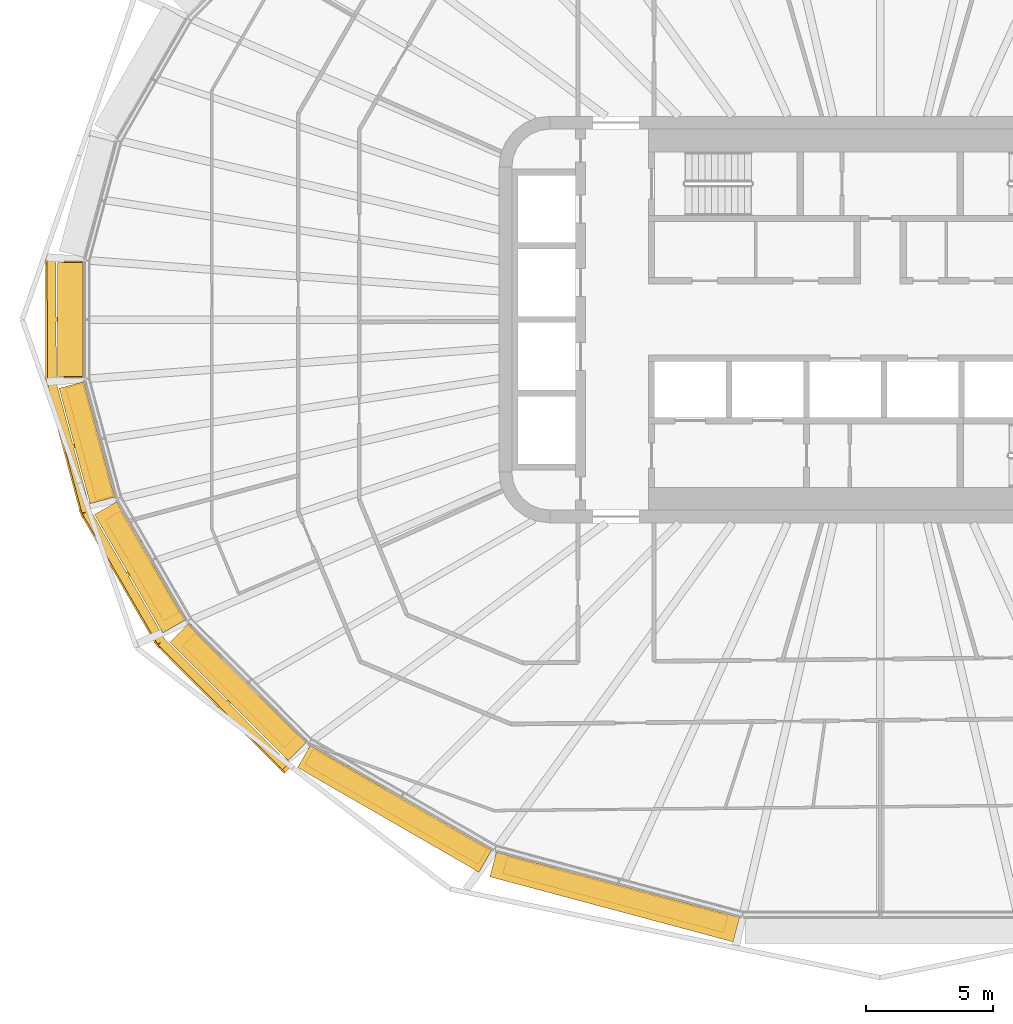
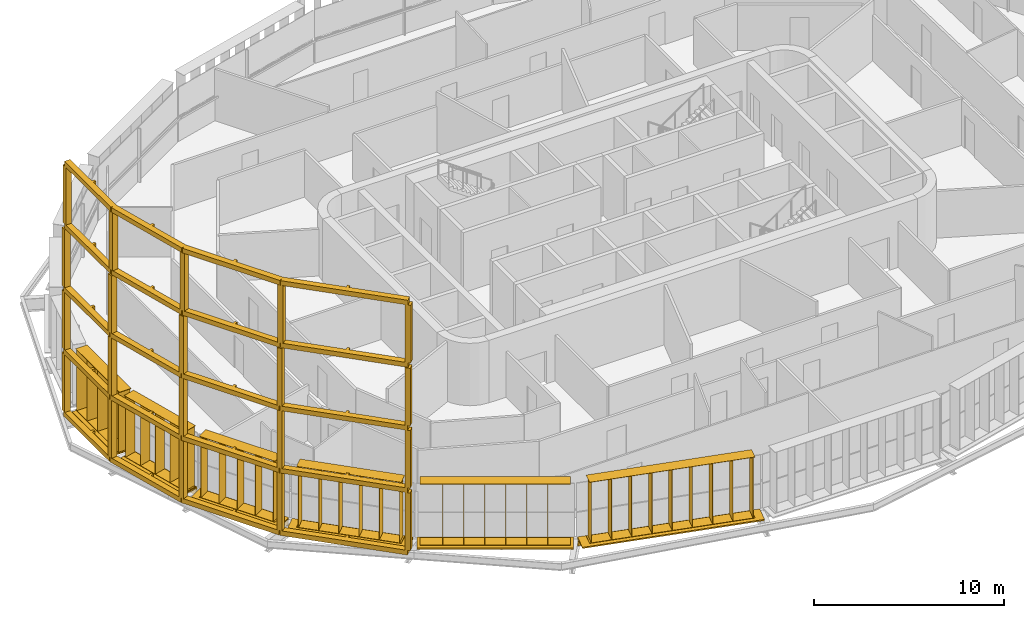
# One storey, part 18 of 24: 13 shading devices.
"""IFC4 building model written with IfcOpenShell, lengths in metres."""

from ifc_helpers import new_model, si_unit, direction, frame, origin, origin_2d, place, context, subcontext, project, spatial, polyline, rectangle, outline, extrude, material, type_object, element, save


model = new_model("IFC4")

# Units and contexts
model_context = context("Model", 3, precision=1e-05, world=origin(), true_north=direction((0.0, 1.0)))
body_context = subcontext(model_context, "Body", "Model", "MODEL_VIEW")
ifc_project = project(units=[si_unit("LENGTHUNIT", "METRE"), si_unit("AREAUNIT", "SQUARE_METRE"), si_unit("VOLUMEUNIT", "CUBIC_METRE"), si_unit("PLANEANGLEUNIT", "RADIAN"), si_unit("MASSUNIT", "GRAM", prefix="KILO")], contexts=[model_context])

# Site, building, storey
site_placement = place(None, origin())
site = spatial("IfcSite", under=ifc_project, at=site_placement, CompositionType="ELEMENT")
building_placement = place(site_placement, origin())
building = spatial("IfcBuilding", under=site, at=building_placement, Name="Sahrelin Media Tower", CompositionType="ELEMENT")
storey_placement = place(building_placement, frame((0.0, 0.0, 153.60009765625)))
storey = spatial("IfcBuildingStorey", under=building, at=storey_placement, Name="L31", CompositionType="ELEMENT", Elevation=153.60009765625)

# Shading devices
ifc_material_1 = material(Name="Dark bronze anodised aluminium 6063-T6", Category="aluminium")
shading_device_type_1 = type_object("IfcShadingDeviceType", Name="Deep frame", PredefinedType="USERDEFINED", material=ifc_material_1)
shading_device_1_placement = place(storey_placement, frame((-31.3515625, 2.343017578125, 0.0), z_axis=(0.0, 0.0, 1.0), x_axis=(0.0, 1.0, 0.0)))
element("IfcShadingDevice", 1, at=shading_device_1_placement, inside=storey, type_object=shading_device_type_1, Name="L31:FRAME:F3-1", ObjectType="FRAME", PredefinedType="USERDEFINED", context=body_context, shape_type="SweptSolid", body=[
    extrude(rectangle(XDim=0.300048828125, YDim=0.35009765625, at=origin_2d()), frame((0.0, 1.324951171875, 0.14990234375), z_axis=(0.0, 0.0, 1.0), x_axis=(-1.0, 0.0, 0.0)), (0.0, 0.0, 1.0), 3.7001953125),
    extrude(rectangle(XDim=0.300048828125, YDim=0.35009765625, at=origin_2d()), frame((-4.85888671875, 1.313720703125, 0.14990234375), z_axis=(0.0, 0.0, 1.0), x_axis=(-0.991436202368, -0.130591947046, 0.0)), (0.0, 0.0, 1.0), 3.7001953125),
    extrude(rectangle(XDim=0.300048828125, YDim=0.35009765625, at=origin_2d()), frame((-9.926513671875, -0.044189453125, 0.14990234375), z_axis=(0.0, 0.0, 1.0), x_axis=(-0.923912256654, -0.382604419741, 0.0)), (0.0, 0.0, 1.0), 3.7001953125),
    extrude(rectangle(XDim=0.300048828125, YDim=0.35009765625, at=origin_2d()), frame((-15.054931640625, -3.0048828125, 0.14990234375), z_axis=(0.0, 0.0, 1.0), x_axis=(-0.793352277801, -0.608762813671, 0.0)), (0.0, 0.0, 1.0), 3.7001953125),
    extrude(rectangle(XDim=0.300048828125, YDim=0.35009765625, at=origin_2d()), frame((-19.974853515625, -7.90869140625, 0.14990234375), z_axis=(0.0, 0.0, 1.0), x_axis=(-0.707106781187, -0.707106781187, 0.0)), (0.0, 0.0, 1.0), 3.7001953125),
    extrude(outline(polyline([(-20.098388671875, -7.784912109375), (-19.851318359375, -8.03271484375), (-17.505615234375, -5.694580078125), (-17.382080078125, -5.818115234375), (-17.27587890625, -5.7119140625), (-17.3994140625, -5.588623046875), (-14.94775390625, -3.14501953125), (-12.46826171875, -1.713623046875), (-12.384033203125, -1.859619140625), (-12.25390625, -1.78466796875), (-12.33837890625, -1.638671875), (-9.859130859375, -0.207275390625), (-7.419921875, 0.4462890625), (-7.376220703125, 0.283447265625), (-7.2314453125, 0.322265625), (-7.27490234375, 0.485107421875), (-4.835693359375, 1.138671875), (-2.41796875, 1.144287109375), (-2.41796875, 0.969970703125), (-2.26806640625, 0.969970703125), (-2.26806640625, 1.144775390625), (0.00048828125, 1.14990234375), (-0.00048828125, 1.5), (-4.859375, 1.48876953125), (-4.85888671875, 1.313720703125), (-4.904296875, 1.482666015625), (-9.971923828125, 0.125), (-9.926513671875, -0.044189453125), (-10.01416015625, 0.107421875), (-15.142578125, -2.853515625), (-15.054931640625, -3.0048828125), (-15.178466796875, -2.881103515625), (-20.098388671875, -7.784912109375)])), frame((0.0, 0.0, -0.14990234375)), (0.0, 0.0, 1.0), 0.2998046875),
    extrude(rectangle(XDim=0.300048828125, YDim=0.35009765625, at=origin_2d()), frame((0.0, 1.324951171875, 4.14990234375), z_axis=(0.0, 0.0, 1.0), x_axis=(-1.0, 0.0, 0.0)), (0.0, 0.0, 1.0), 3.7001953125),
    extrude(rectangle(XDim=0.300048828125, YDim=0.35009765625, at=origin_2d()), frame((-4.85888671875, 1.313720703125, 4.14990234375), z_axis=(0.0, 0.0, 1.0), x_axis=(-0.991436202368, -0.130591947046, 0.0)), (0.0, 0.0, 1.0), 3.7001953125),
    extrude(rectangle(XDim=0.300048828125, YDim=0.35009765625, at=origin_2d()), frame((-9.926513671875, -0.044189453125, 4.14990234375), z_axis=(0.0, 0.0, 1.0), x_axis=(-0.923912256654, -0.382604419741, 0.0)), (0.0, 0.0, 1.0), 3.7001953125),
    extrude(rectangle(XDim=0.300048828125, YDim=0.35009765625, at=origin_2d()), frame((-15.054931640625, -3.0048828125, 4.14990234375), z_axis=(0.0, 0.0, 1.0), x_axis=(-0.793352277801, -0.608762813671, 0.0)), (0.0, 0.0, 1.0), 3.7001953125),
    extrude(rectangle(XDim=0.300048828125, YDim=0.35009765625, at=origin_2d()), frame((-19.974853515625, -7.90869140625, 4.14990234375), z_axis=(0.0, 0.0, 1.0), x_axis=(-0.707106781187, -0.707106781187, 0.0)), (0.0, 0.0, 1.0), 3.7001953125),
    extrude(outline(polyline([(-20.098388671875, -7.784912109375), (-19.851318359375, -8.03271484375), (-17.505615234375, -5.694580078125), (-17.382080078125, -5.818115234375), (-17.27587890625, -5.7119140625), (-17.3994140625, -5.588623046875), (-14.94775390625, -3.14501953125), (-12.46826171875, -1.713623046875), (-12.384033203125, -1.859619140625), (-12.25390625, -1.78466796875), (-12.33837890625, -1.638671875), (-9.859130859375, -0.207275390625), (-7.419921875, 0.4462890625), (-7.376220703125, 0.283447265625), (-7.2314453125, 0.322265625), (-7.27490234375, 0.485107421875), (-4.835693359375, 1.138671875), (-2.41796875, 1.144287109375), (-2.41796875, 0.969970703125), (-2.26806640625, 0.969970703125), (-2.26806640625, 1.144775390625), (0.00048828125, 1.14990234375), (-0.00048828125, 1.5), (-4.859375, 1.48876953125), (-4.85888671875, 1.313720703125), (-4.904296875, 1.482666015625), (-9.971923828125, 0.125), (-9.926513671875, -0.044189453125), (-10.01416015625, 0.107421875), (-15.142578125, -2.853515625), (-15.054931640625, -3.0048828125), (-15.178466796875, -2.881103515625), (-20.098388671875, -7.784912109375)])), frame((0.0, 0.0, 3.85009765625)), (0.0, 0.0, 1.0), 0.2998046875),
    extrude(rectangle(XDim=0.300048828125, YDim=0.35009765625, at=origin_2d()), frame((0.0, 1.324951171875, 8.14990234375), z_axis=(0.0, 0.0, 1.0), x_axis=(-1.0, 0.0, 0.0)), (0.0, 0.0, 1.0), 3.7001953125),
    extrude(rectangle(XDim=0.300048828125, YDim=0.35009765625, at=origin_2d()), frame((-4.85888671875, 1.313720703125, 8.14990234375), z_axis=(0.0, 0.0, 1.0), x_axis=(-0.991436202368, -0.130591947046, 0.0)), (0.0, 0.0, 1.0), 3.7001953125),
    extrude(rectangle(XDim=0.300048828125, YDim=0.35009765625, at=origin_2d()), frame((-9.926513671875, -0.044189453125, 8.14990234375), z_axis=(0.0, 0.0, 1.0), x_axis=(-0.923912256654, -0.382604419741, 0.0)), (0.0, 0.0, 1.0), 3.7001953125),
    extrude(rectangle(XDim=0.300048828125, YDim=0.35009765625, at=origin_2d()), frame((-15.054931640625, -3.0048828125, 8.14990234375), z_axis=(0.0, 0.0, 1.0), x_axis=(-0.793352277801, -0.608762813671, 0.0)), (0.0, 0.0, 1.0), 3.7001953125),
    extrude(rectangle(XDim=0.300048828125, YDim=0.35009765625, at=origin_2d()), frame((-19.974853515625, -7.90869140625, 8.14990234375), z_axis=(0.0, 0.0, 1.0), x_axis=(-0.707106781187, -0.707106781187, 0.0)), (0.0, 0.0, 1.0), 3.7001953125),
    extrude(outline(polyline([(-20.098388671875, -7.784912109375), (-19.851318359375, -8.03271484375), (-17.505615234375, -5.694580078125), (-17.382080078125, -5.818115234375), (-17.27587890625, -5.7119140625), (-17.3994140625, -5.588623046875), (-14.94775390625, -3.14501953125), (-12.46826171875, -1.713623046875), (-12.384033203125, -1.859619140625), (-12.25390625, -1.78466796875), (-12.33837890625, -1.638671875), (-9.859130859375, -0.207275390625), (-7.419921875, 0.4462890625), (-7.376220703125, 0.283447265625), (-7.2314453125, 0.322265625), (-7.27490234375, 0.485107421875), (-4.835693359375, 1.138671875), (-2.41796875, 1.144287109375), (-2.41796875, 0.969970703125), (-2.26806640625, 0.969970703125), (-2.26806640625, 1.144775390625), (0.00048828125, 1.14990234375), (-0.00048828125, 1.5), (-4.859375, 1.48876953125), (-4.85888671875, 1.313720703125), (-4.904296875, 1.482666015625), (-9.971923828125, 0.125), (-9.926513671875, -0.044189453125), (-10.01416015625, 0.107421875), (-15.142578125, -2.853515625), (-15.054931640625, -3.0048828125), (-15.178466796875, -2.881103515625), (-20.098388671875, -7.784912109375)])), frame((0.0, 0.0, 7.85009765625)), (0.0, 0.0, 1.0), 0.2998046875),
    extrude(rectangle(XDim=0.300048828125, YDim=0.35009765625, at=origin_2d()), frame((-0.00537109375, 1.2578125, 12.14990234375), z_axis=(0.0, 0.0, 1.0), x_axis=(-1.0, 0.0, 0.0)), (0.0, 0.0, 1.0), 3.7001953125),
    extrude(rectangle(XDim=0.300048828125, YDim=0.35009765625, at=origin_2d()), frame((-4.853515625, 1.246337890625, 12.14990234375), z_axis=(0.0, 0.0, 1.0), x_axis=(-0.991436202368, -0.130591947046, 0.0)), (0.0, 0.0, 1.0), 3.7001953125),
    extrude(rectangle(XDim=0.300048828125, YDim=0.35009765625, at=origin_2d()), frame((-9.910888671875, -0.108642578125, 12.14990234375), z_axis=(0.0, 0.0, 1.0), x_axis=(-0.923897565017, -0.382639895143, 0.0)), (0.0, 0.0, 1.0), 3.7001953125),
    extrude(rectangle(XDim=0.300048828125, YDim=0.35009765625, at=origin_2d()), frame((-15.0283203125, -3.063232421875, 12.14990234375), z_axis=(0.0, 0.0, 1.0), x_axis=(-0.793352277801, -0.608762813671, 0.0)), (0.0, 0.0, 1.0), 3.7001953125),
    extrude(rectangle(XDim=0.300048828125, YDim=0.35009765625, at=origin_2d()), frame((-19.9375, -7.95654296875, 12.14990234375), z_axis=(0.0, 0.0, 1.0), x_axis=(-0.707106781187, -0.707106781187, 0.0)), (0.0, 0.0, 1.0), 3.7001953125),
    extrude(outline(polyline([(-20.06103515625, -7.83251953125), (-19.814208984375, -8.080322265625), (-17.4736328125, -5.74755859375), (-17.35009765625, -5.87109375), (-17.244140625, -5.764892578125), (-17.3671875, -5.6416015625), (-14.9208984375, -3.203369140625), (-12.447021484375, -1.77490234375), (-12.36279296875, -1.921142578125), (-12.23291015625, -1.84619140625), (-12.317138671875, -1.699951171875), (-9.84326171875, -0.271728515625), (-7.4091796875, 0.38037109375), (-7.36572265625, 0.217529296875), (-7.220703125, 0.25634765625), (-7.264404296875, 0.419189453125), (-4.830322265625, 1.0712890625), (-2.41796875, 1.0771484375), (-2.41796875, 0.902587890625), (-2.26806640625, 0.902587890625), (-2.26806640625, 1.077392578125), (-0.0048828125, 1.082763671875), (-0.005615234375, 1.4326171875), (-4.85400390625, 1.42138671875), (-4.853515625, 1.246337890625), (-4.89892578125, 1.415283203125), (-9.9560546875, 0.060302734375), (-9.910888671875, -0.108642578125), (-9.998291015625, 0.04296875), (-15.11572265625, -2.911865234375), (-15.0283203125, -3.063232421875), (-15.15185546875, -2.939453125), (-20.06103515625, -7.83251953125)])), frame((0.0, 0.0, 11.85009765625)), (0.0, 0.0, 1.0), 0.2998046875),
    extrude(outline(polyline([(-20.06103515625, -7.83251953125), (-19.814208984375, -8.080322265625), (-17.4736328125, -5.74755859375), (-17.35009765625, -5.87109375), (-17.244140625, -5.764892578125), (-17.3671875, -5.6416015625), (-14.9208984375, -3.203369140625), (-12.447021484375, -1.77490234375), (-12.36279296875, -1.921142578125), (-12.23291015625, -1.84619140625), (-12.317138671875, -1.699951171875), (-9.84326171875, -0.271728515625), (-7.4091796875, 0.38037109375), (-7.36572265625, 0.217529296875), (-7.220703125, 0.25634765625), (-7.264404296875, 0.419189453125), (-4.830322265625, 1.0712890625), (-2.41796875, 1.0771484375), (-2.41796875, 0.902587890625), (-2.26806640625, 0.902587890625), (-2.26806640625, 1.077392578125), (-0.0048828125, 1.082763671875), (-0.005615234375, 1.4326171875), (-4.85400390625, 1.42138671875), (-4.853515625, 1.246337890625), (-4.89892578125, 1.415283203125), (-9.9560546875, 0.060302734375), (-9.910888671875, -0.108642578125), (-9.998291015625, 0.04296875), (-15.11572265625, -2.911865234375), (-15.0283203125, -3.063232421875), (-15.15185546875, -2.939453125), (-20.06103515625, -7.83251953125)])), frame((0.0, 0.0, 15.85009765625)), (0.0, 0.0, 1.0), 0.2998046875),
])
ifc_material_2 = material(Name="Champagne anodised aluminium 6063-T6", Category="aluminium")
shading_device_type_2 = type_object("IfcShadingDeviceType", Name="Fin cassette", PredefinedType="USERDEFINED", material=ifc_material_2)
placement_1 = place(storey_placement, frame((-31.3515625, 0.0, 0.0), z_axis=(0.0, 0.0, 1.0), x_axis=(0.0, 1.0, 0.0)))
element("IfcShadingDevice", 2, at=placement_1, inside=storey, type_object=shading_device_type_2, Name="L31:FIN:L31-12", ObjectType="FIN", PredefinedType="USERDEFINED", context=body_context, shape_type="SweptSolid", body=[
    extrude(rectangle(XDim=4.60009765625, YDim=0.699951171875, at=origin_2d()), frame((0.0, 0.419921875, 0.0)), (0.0, 0.0, 1.0), 0.02001953125),
    extrude(rectangle(XDim=4.60009765625, YDim=0.699951171875, at=origin_2d()), frame((0.0, 0.419921875, 3.89990234375)), (0.0, 0.0, 1.0), 0.02001953125),
    extrude(rectangle(XDim=0.02001953125, YDim=0.699951171875, at=origin_2d()), frame((-2.199951171875, 0.419921875, 0.010009765625), z_axis=(0.0, 0.0, 1.0), x_axis=(1.0, 0.0, 0.0)), (0.0, 0.0, 1.0), 3.89990234375),
    extrude(rectangle(XDim=0.02001953125, YDim=0.699951171875, at=origin_2d()), frame((-1.10009765625, 0.419921875, 0.010009765625), z_axis=(0.0, 0.0, 1.0), x_axis=(1.0, 0.0, 0.0)), (0.0, 0.0, 1.0), 3.89990234375),
    extrude(rectangle(XDim=0.02001953125, YDim=0.699951171875, at=origin_2d()), frame((0.0, 0.419921875, 0.010009765625), z_axis=(0.0, 0.0, 1.0), x_axis=(1.0, 0.0, 0.0)), (0.0, 0.0, 1.0), 3.89990234375),
    extrude(rectangle(XDim=0.02001953125, YDim=0.699951171875, at=origin_2d()), frame((1.10009765625, 0.419921875, 0.010009765625), z_axis=(0.0, 0.0, 1.0), x_axis=(1.0, 0.0, 0.0)), (0.0, 0.0, 1.0), 3.89990234375),
    extrude(rectangle(XDim=0.02001953125, YDim=0.699951171875, at=origin_2d()), frame((2.199951171875, 0.419921875, 0.010009765625), z_axis=(0.0, 0.0, 1.0), x_axis=(1.0, 0.0, 0.0)), (0.0, 0.0, 1.0), 3.89990234375),
])
placement_2 = place(storey_placement, frame((-30.71728515625, -4.709716796875, 0.0), z_axis=(0.0, 0.0, 1.0), x_axis=(-0.258807731996, 0.965928857556, 0.0)))
element("IfcShadingDevice", 3, at=placement_2, inside=storey, type_object=shading_device_type_2, Name="L31:FIN:L31-13", ObjectType="FIN", PredefinedType="USERDEFINED", context=body_context, shape_type="SweptSolid", body=[
    extrude(rectangle(XDim=4.60009765625, YDim=0.699951171875, at=origin_2d()), frame((0.0, 0.419921875, 0.0)), (0.0, 0.0, 1.0), 0.02001953125),
    extrude(rectangle(XDim=4.60009765625, YDim=0.699951171875, at=origin_2d()), frame((0.0, 0.419921875, 3.89990234375)), (0.0, 0.0, 1.0), 0.02001953125),
    extrude(rectangle(XDim=0.02001953125, YDim=0.699951171875, at=origin_2d()), frame((-2.199951171875, 0.419921875, 0.010009765625), z_axis=(0.0, 0.0, 1.0), x_axis=(1.0, 0.0, 0.0)), (0.0, 0.0, 1.0), 3.89990234375),
    extrude(rectangle(XDim=0.02001953125, YDim=0.699951171875, at=origin_2d()), frame((-1.10009765625, 0.419921875, 0.010009765625), z_axis=(0.0, 0.0, 1.0), x_axis=(1.0, 0.0, 0.0)), (0.0, 0.0, 1.0), 3.89990234375),
    extrude(rectangle(XDim=0.02001953125, YDim=0.699951171875, at=origin_2d()), frame((0.0, 0.419921875, 0.010009765625), z_axis=(0.0, 0.0, 1.0), x_axis=(1.0, 0.0, 0.0)), (0.0, 0.0, 1.0), 3.89990234375),
    extrude(rectangle(XDim=0.02001953125, YDim=0.699951171875, at=origin_2d()), frame((1.10009765625, 0.419921875, 0.010009765625), z_axis=(0.0, 0.0, 1.0), x_axis=(1.0, 0.0, 0.0)), (0.0, 0.0, 1.0), 3.89990234375),
    extrude(rectangle(XDim=0.02001953125, YDim=0.699951171875, at=origin_2d()), frame((2.199951171875, 0.419921875, 0.010009765625), z_axis=(0.0, 0.0, 1.0), x_axis=(1.0, 0.0, 0.0)), (0.0, 0.0, 1.0), 3.89990234375),
])
placement_3 = place(storey_placement, frame((-28.689208984375, -9.490966796875, 0.0), z_axis=(0.0, 0.0, 1.0), x_axis=(-0.500011000363, 0.866019052629, 0.0)))
element("IfcShadingDevice", 4, at=placement_3, inside=storey, type_object=shading_device_type_2, Name="L31:FIN:L31-14", ObjectType="FIN", PredefinedType="USERDEFINED", context=body_context, shape_type="SweptSolid", body=[
    extrude(rectangle(XDim=4.60009765625, YDim=0.699951171875, at=origin_2d()), frame((0.0, 0.419921875, 0.0)), (0.0, 0.0, 1.0), 0.02001953125),
    extrude(rectangle(XDim=4.60009765625, YDim=0.699951171875, at=origin_2d()), frame((0.0, 0.419921875, 3.89990234375)), (0.0, 0.0, 1.0), 0.02001953125),
    extrude(rectangle(XDim=0.02001953125, YDim=0.699951171875, at=origin_2d()), frame((-2.199951171875, 0.419921875, 0.010009765625), z_axis=(0.0, 0.0, 1.0), x_axis=(1.0, 0.0, 0.0)), (0.0, 0.0, 1.0), 3.89990234375),
    extrude(rectangle(XDim=0.02001953125, YDim=0.699951171875, at=origin_2d()), frame((-1.10009765625, 0.419921875, 0.010009765625), z_axis=(0.0, 0.0, 1.0), x_axis=(1.0, 0.0, 0.0)), (0.0, 0.0, 1.0), 3.89990234375),
    extrude(rectangle(XDim=0.02001953125, YDim=0.699951171875, at=origin_2d()), frame((0.0, 0.419921875, 0.010009765625), z_axis=(0.0, 0.0, 1.0), x_axis=(1.0, 0.0, 0.0)), (0.0, 0.0, 1.0), 3.89990234375),
    extrude(rectangle(XDim=0.02001953125, YDim=0.699951171875, at=origin_2d()), frame((1.10009765625, 0.419921875, 0.010009765625), z_axis=(0.0, 0.0, 1.0), x_axis=(1.0, 0.0, 0.0)), (0.0, 0.0, 1.0), 3.89990234375),
    extrude(rectangle(XDim=0.02001953125, YDim=0.699951171875, at=origin_2d()), frame((2.199951171875, 0.419921875, 0.010009765625), z_axis=(0.0, 0.0, 1.0), x_axis=(1.0, 0.0, 0.0)), (0.0, 0.0, 1.0), 3.89990234375),
])
placement_4 = place(storey_placement, frame((-24.900634765625, -14.30029296875, 0.0), z_axis=(0.0, 0.0, 1.0), x_axis=(-0.707106781187, 0.707106781187, 0.0)))
element("IfcShadingDevice", 5, at=placement_4, inside=storey, type_object=shading_device_type_2, Name="L31:FIN:L31-15", ObjectType="FIN", PredefinedType="USERDEFINED", context=body_context, shape_type="SweptSolid", body=[
    extrude(rectangle(XDim=5.699951171875, YDim=0.699951171875, at=origin_2d()), frame((0.0, 0.419921875, 0.0)), (0.0, 0.0, 1.0), 0.02001953125),
    extrude(rectangle(XDim=5.699951171875, YDim=0.699951171875, at=origin_2d()), frame((0.0, 0.419921875, 3.89990234375)), (0.0, 0.0, 1.0), 0.02001953125),
    extrude(rectangle(XDim=0.02001953125, YDim=0.699951171875, at=origin_2d()), frame((-2.75, 0.419921875, 0.010009765625), z_axis=(0.0, 0.0, 1.0), x_axis=(1.0, 0.0, 0.0)), (0.0, 0.0, 1.0), 3.89990234375),
    extrude(rectangle(XDim=0.02001953125, YDim=0.699951171875, at=origin_2d()), frame((-1.64990234375, 0.419921875, 0.010009765625), z_axis=(0.0, 0.0, 1.0), x_axis=(1.0, 0.0, 0.0)), (0.0, 0.0, 1.0), 3.89990234375),
    extrude(rectangle(XDim=0.02001953125, YDim=0.699951171875, at=origin_2d()), frame((-0.550048828125, 0.419921875, 0.010009765625), z_axis=(0.0, 0.0, 1.0), x_axis=(1.0, 0.0, 0.0)), (0.0, 0.0, 1.0), 3.89990234375),
    extrude(rectangle(XDim=0.02001953125, YDim=0.699951171875, at=origin_2d()), frame((0.550048828125, 0.419921875, 0.010009765625), z_axis=(0.0, 0.0, 1.0), x_axis=(1.0, 0.0, 0.0)), (0.0, 0.0, 1.0), 3.89990234375),
    extrude(rectangle(XDim=0.02001953125, YDim=0.699951171875, at=origin_2d()), frame((1.64990234375, 0.419921875, 0.010009765625), z_axis=(0.0, 0.0, 1.0), x_axis=(1.0, 0.0, 0.0)), (0.0, 0.0, 1.0), 3.89990234375),
    extrude(rectangle(XDim=0.02001953125, YDim=0.699951171875, at=origin_2d()), frame((2.75, 0.419921875, 0.010009765625), z_axis=(0.0, 0.0, 1.0), x_axis=(1.0, 0.0, 0.0)), (0.0, 0.0, 1.0), 3.89990234375),
])
placement_5 = place(storey_placement, frame((-18.85107421875, -18.804931640625, 0.0), z_axis=(0.0, 0.0, 1.0), x_axis=(-0.866019052629, 0.500011000363, 0.0)))
element("IfcShadingDevice", 6, at=placement_5, inside=storey, type_object=shading_device_type_2, Name="L31:FIN:L31-16", ObjectType="FIN", PredefinedType="USERDEFINED", context=body_context, shape_type="SweptSolid", body=[
    extrude(rectangle(XDim=7.89990234375, YDim=0.699951171875, at=origin_2d()), frame((0.0, 0.419921875, 0.0)), (0.0, 0.0, 1.0), 0.02001953125),
    extrude(rectangle(XDim=7.89990234375, YDim=0.699951171875, at=origin_2d()), frame((0.0, 0.419921875, 3.89990234375)), (0.0, 0.0, 1.0), 0.02001953125),
    extrude(rectangle(XDim=0.02001953125, YDim=0.699951171875, at=origin_2d()), frame((-3.85009765625, 0.419921875, 0.010009765625), z_axis=(0.0, 0.0, 1.0), x_axis=(1.0, 0.0, 0.0)), (0.0, 0.0, 1.0), 3.89990234375),
    extrude(rectangle(XDim=0.02001953125, YDim=0.699951171875, at=origin_2d()), frame((-2.75, 0.419921875, 0.010009765625), z_axis=(0.0, 0.0, 1.0), x_axis=(1.0, 0.0, 0.0)), (0.0, 0.0, 1.0), 3.89990234375),
    extrude(rectangle(XDim=0.02001953125, YDim=0.699951171875, at=origin_2d()), frame((-1.64990234375, 0.419921875, 0.010009765625), z_axis=(0.0, 0.0, 1.0), x_axis=(1.0, 0.0, 0.0)), (0.0, 0.0, 1.0), 3.89990234375),
    extrude(rectangle(XDim=0.02001953125, YDim=0.699951171875, at=origin_2d()), frame((-0.550048828125, 0.419921875, 0.010009765625), z_axis=(0.0, 0.0, 1.0), x_axis=(1.0, 0.0, 0.0)), (0.0, 0.0, 1.0), 3.89990234375),
    extrude(rectangle(XDim=0.02001953125, YDim=0.699951171875, at=origin_2d()), frame((0.550048828125, 0.419921875, 0.010009765625), z_axis=(0.0, 0.0, 1.0), x_axis=(1.0, 0.0, 0.0)), (0.0, 0.0, 1.0), 3.89990234375),
    extrude(rectangle(XDim=0.02001953125, YDim=0.699951171875, at=origin_2d()), frame((1.64990234375, 0.419921875, 0.010009765625), z_axis=(0.0, 0.0, 1.0), x_axis=(1.0, 0.0, 0.0)), (0.0, 0.0, 1.0), 3.89990234375),
    extrude(rectangle(XDim=0.02001953125, YDim=0.699951171875, at=origin_2d()), frame((2.75, 0.419921875, 0.010009765625), z_axis=(0.0, 0.0, 1.0), x_axis=(1.0, 0.0, 0.0)), (0.0, 0.0, 1.0), 3.89990234375),
    extrude(rectangle(XDim=0.02001953125, YDim=0.699951171875, at=origin_2d()), frame((3.85009765625, 0.419921875, 0.010009765625), z_axis=(0.0, 0.0, 1.0), x_axis=(1.0, 0.0, 0.0)), (0.0, 0.0, 1.0), 3.89990234375),
])
placement_6 = place(storey_placement, frame((-10.312255859375, -22.2236328125, 0.0), z_axis=(0.0, 0.0, 1.0), x_axis=(-0.965928857556, 0.258807731996, 0.0)))
element("IfcShadingDevice", 7, at=placement_6, inside=storey, type_object=shading_device_type_2, Name="L31:FIN:L31-17", ObjectType="FIN", PredefinedType="USERDEFINED", context=body_context, shape_type="SweptSolid", body=[
    extrude(rectangle(XDim=9.0, YDim=0.699951171875, at=origin_2d()), frame((0.0, 0.419921875, 0.0)), (0.0, 0.0, 1.0), 0.02001953125),
    extrude(rectangle(XDim=9.0, YDim=0.699951171875, at=origin_2d()), frame((0.0, 0.419921875, 3.89990234375)), (0.0, 0.0, 1.0), 0.02001953125),
    extrude(rectangle(XDim=0.02001953125, YDim=0.699951171875, at=origin_2d()), frame((-4.39990234375, 0.419921875, 0.010009765625), z_axis=(0.0, 0.0, 1.0), x_axis=(1.0, 0.0, 0.0)), (0.0, 0.0, 1.0), 3.89990234375),
    extrude(rectangle(XDim=0.02001953125, YDim=0.699951171875, at=origin_2d()), frame((-3.300048828125, 0.419921875, 0.010009765625), z_axis=(0.0, 0.0, 1.0), x_axis=(1.0, 0.0, 0.0)), (0.0, 0.0, 1.0), 3.89990234375),
    extrude(rectangle(XDim=0.02001953125, YDim=0.699951171875, at=origin_2d()), frame((-2.199951171875, 0.419921875, 0.010009765625), z_axis=(0.0, 0.0, 1.0), x_axis=(1.0, 0.0, 0.0)), (0.0, 0.0, 1.0), 3.89990234375),
    extrude(rectangle(XDim=0.02001953125, YDim=0.699951171875, at=origin_2d()), frame((-1.10009765625, 0.419921875, 0.010009765625), z_axis=(0.0, 0.0, 1.0), x_axis=(1.0, 0.0, 0.0)), (0.0, 0.0, 1.0), 3.89990234375),
    extrude(rectangle(XDim=0.02001953125, YDim=0.699951171875, at=origin_2d()), frame((0.0, 0.419921875, 0.010009765625), z_axis=(0.0, 0.0, 1.0), x_axis=(1.0, 0.0, 0.0)), (0.0, 0.0, 1.0), 3.89990234375),
    extrude(rectangle(XDim=0.02001953125, YDim=0.699951171875, at=origin_2d()), frame((1.10009765625, 0.419921875, 0.010009765625), z_axis=(0.0, 0.0, 1.0), x_axis=(1.0, 0.0, 0.0)), (0.0, 0.0, 1.0), 3.89990234375),
    extrude(rectangle(XDim=0.02001953125, YDim=0.699951171875, at=origin_2d()), frame((2.199951171875, 0.419921875, 0.010009765625), z_axis=(0.0, 0.0, 1.0), x_axis=(1.0, 0.0, 0.0)), (0.0, 0.0, 1.0), 3.89990234375),
    extrude(rectangle(XDim=0.02001953125, YDim=0.699951171875, at=origin_2d()), frame((3.300048828125, 0.419921875, 0.010009765625), z_axis=(0.0, 0.0, 1.0), x_axis=(1.0, 0.0, 0.0)), (0.0, 0.0, 1.0), 3.89990234375),
    extrude(rectangle(XDim=0.02001953125, YDim=0.699951171875, at=origin_2d()), frame((4.39990234375, 0.419921875, 0.010009765625), z_axis=(0.0, 0.0, 1.0), x_axis=(1.0, 0.0, 0.0)), (0.0, 0.0, 1.0), 3.89990234375),
])
shading_device_type_3 = type_object("IfcShadingDeviceType", Name="Sunshade band", PredefinedType="USERDEFINED", material=ifc_material_2)
element("IfcShadingDevice", 8, at=placement_1, inside=storey, type_object=shading_device_type_3, Name="L31:SUN:L31-12", ObjectType="SUNSHADE", PredefinedType="USERDEFINED", context=body_context, shape_type="SweptSolid", body=[
    extrude(rectangle(XDim=4.486083984375, YDim=0.050048828125, at=origin_2d()), frame((0.0, 0.044921875, -0.55126953125)), (0.0, 0.0, 1.0), 0.471435546875),
    extrude(rectangle(XDim=4.486083984375, YDim=1.0, at=origin_2d()), frame((0.0, 0.52001953125, -0.080078125)), (0.0, 0.0, 1.0), 0.080078125),
    extrude(rectangle(XDim=0.10009765625, YDim=0.074951171875, at=origin_2d()), frame((-2.14306640625, -0.017578125, -0.47021484375)), (0.0, 0.0, 1.0), 0.300048828125),
    extrude(rectangle(XDim=0.10009765625, YDim=0.074951171875, at=origin_2d()), frame((-0.71435546875, -0.017578125, -0.47021484375)), (0.0, 0.0, 1.0), 0.300048828125),
    extrude(rectangle(XDim=0.10009765625, YDim=0.074951171875, at=origin_2d()), frame((0.71435546875, -0.017578125, -0.47021484375)), (0.0, 0.0, 1.0), 0.300048828125),
    extrude(rectangle(XDim=0.10009765625, YDim=0.074951171875, at=origin_2d()), frame((2.14306640625, -0.017578125, -0.47021484375)), (0.0, 0.0, 1.0), 0.300048828125),
])
element("IfcShadingDevice", 9, at=placement_2, inside=storey, type_object=shading_device_type_3, Name="L31:SUN:L31-13", ObjectType="SUNSHADE", PredefinedType="USERDEFINED", context=body_context, shape_type="SweptSolid", body=[
    extrude(rectangle(XDim=4.70068359375, YDim=0.050048828125, at=origin_2d()), frame((0.0, 0.044921875, -0.55126953125)), (0.0, 0.0, 1.0), 0.471435546875),
    extrude(rectangle(XDim=4.70068359375, YDim=1.0, at=origin_2d()), frame((0.0, 0.52001953125, -0.080078125)), (0.0, 0.0, 1.0), 0.080078125),
    extrude(rectangle(XDim=0.10009765625, YDim=0.074951171875, at=origin_2d()), frame((-2.250244140625, -0.017578125, -0.47021484375)), (0.0, 0.0, 1.0), 0.300048828125),
    extrude(rectangle(XDim=0.10009765625, YDim=0.074951171875, at=origin_2d()), frame((-0.75, -0.017578125, -0.47021484375)), (0.0, 0.0, 1.0), 0.300048828125),
    extrude(rectangle(XDim=0.10009765625, YDim=0.074951171875, at=origin_2d()), frame((0.75, -0.017578125, -0.47021484375)), (0.0, 0.0, 1.0), 0.300048828125),
    extrude(rectangle(XDim=0.10009765625, YDim=0.074951171875, at=origin_2d()), frame((2.250244140625, -0.017578125, -0.47021484375)), (0.0, 0.0, 1.0), 0.300048828125),
])
element("IfcShadingDevice", 10, at=placement_3, inside=storey, type_object=shading_device_type_3, Name="L31:SUN:L31-14", ObjectType="SUNSHADE", PredefinedType="USERDEFINED", context=body_context, shape_type="SweptSolid", body=[
    extrude(rectangle(XDim=5.375732421875, YDim=0.050048828125, at=origin_2d()), frame((0.0, 0.044921875, -0.55126953125)), (0.0, 0.0, 1.0), 0.471435546875),
    extrude(rectangle(XDim=5.375732421875, YDim=1.0, at=origin_2d()), frame((0.0, 0.52001953125, -0.080078125)), (0.0, 0.0, 1.0), 0.080078125),
    extrude(rectangle(XDim=0.10009765625, YDim=0.074951171875, at=origin_2d()), frame((-2.587890625, -0.017578125, -0.47021484375)), (0.0, 0.0, 1.0), 0.300048828125),
    extrude(rectangle(XDim=0.10009765625, YDim=0.074951171875, at=origin_2d()), frame((-0.862548828125, -0.017578125, -0.47021484375)), (0.0, 0.0, 1.0), 0.300048828125),
    extrude(rectangle(XDim=0.10009765625, YDim=0.074951171875, at=origin_2d()), frame((0.862548828125, -0.017578125, -0.47021484375)), (0.0, 0.0, 1.0), 0.300048828125),
    extrude(rectangle(XDim=0.10009765625, YDim=0.074951171875, at=origin_2d()), frame((2.587890625, -0.017578125, -0.47021484375)), (0.0, 0.0, 1.0), 0.300048828125),
])
element("IfcShadingDevice", 11, at=placement_4, inside=storey, type_object=shading_device_type_3, Name="L31:SUN:L31-15", ObjectType="SUNSHADE", PredefinedType="USERDEFINED", context=body_context, shape_type="SweptSolid", body=[
    extrude(rectangle(XDim=6.573486328125, YDim=0.050048828125, at=origin_2d()), frame((0.0, 0.044921875, -0.55126953125)), (0.0, 0.0, 1.0), 0.471435546875),
    extrude(rectangle(XDim=6.573486328125, YDim=1.0, at=origin_2d()), frame((0.0, 0.52001953125, -0.080078125)), (0.0, 0.0, 1.0), 0.080078125),
    extrude(rectangle(XDim=0.10009765625, YDim=0.074951171875, at=origin_2d()), frame((-3.186767578125, -0.017578125, -0.47021484375)), (0.0, 0.0, 1.0), 0.300048828125),
    extrude(rectangle(XDim=0.10009765625, YDim=0.074951171875, at=origin_2d()), frame((-1.59326171875, -0.017578125, -0.47021484375)), (0.0, 0.0, 1.0), 0.300048828125),
    extrude(rectangle(XDim=0.10009765625, YDim=0.074951171875, at=origin_2d()), frame((0.0, -0.017578125, -0.47021484375)), (0.0, 0.0, 1.0), 0.300048828125),
    extrude(rectangle(XDim=0.10009765625, YDim=0.074951171875, at=origin_2d()), frame((1.59326171875, -0.017578125, -0.47021484375)), (0.0, 0.0, 1.0), 0.300048828125),
    extrude(rectangle(XDim=0.10009765625, YDim=0.074951171875, at=origin_2d()), frame((3.186767578125, -0.017578125, -0.47021484375)), (0.0, 0.0, 1.0), 0.300048828125),
])
element("IfcShadingDevice", 12, at=placement_5, inside=storey, type_object=shading_device_type_3, Name="L31:SUN:L31-16", ObjectType="SUNSHADE", PredefinedType="USERDEFINED", context=body_context, shape_type="SweptSolid", body=[
    extrude(rectangle(XDim=8.240478515625, YDim=0.050048828125, at=origin_2d()), frame((0.0, 0.044921875, -0.55126953125)), (0.0, 0.0, 1.0), 0.471435546875),
    extrude(rectangle(XDim=8.240478515625, YDim=1.0, at=origin_2d()), frame((0.0, 0.52001953125, -0.080078125)), (0.0, 0.0, 1.0), 0.080078125),
    extrude(rectangle(XDim=0.10009765625, YDim=0.074951171875, at=origin_2d()), frame((-4.020263671875, -0.017578125, -0.47021484375)), (0.0, 0.0, 1.0), 0.300048828125),
    extrude(rectangle(XDim=0.10009765625, YDim=0.074951171875, at=origin_2d()), frame((-2.412109375, -0.017578125, -0.47021484375)), (0.0, 0.0, 1.0), 0.300048828125),
    extrude(rectangle(XDim=0.10009765625, YDim=0.074951171875, at=origin_2d()), frame((-0.803955078125, -0.017578125, -0.47021484375)), (0.0, 0.0, 1.0), 0.300048828125),
    extrude(rectangle(XDim=0.10009765625, YDim=0.074951171875, at=origin_2d()), frame((0.803955078125, -0.017578125, -0.47021484375)), (0.0, 0.0, 1.0), 0.300048828125),
    extrude(rectangle(XDim=0.10009765625, YDim=0.074951171875, at=origin_2d()), frame((2.412109375, -0.017578125, -0.47021484375)), (0.0, 0.0, 1.0), 0.300048828125),
    extrude(rectangle(XDim=0.10009765625, YDim=0.074951171875, at=origin_2d()), frame((4.020263671875, -0.017578125, -0.47021484375)), (0.0, 0.0, 1.0), 0.300048828125),
])
element("IfcShadingDevice", 13, at=placement_6, inside=storey, type_object=shading_device_type_3, Name="L31:SUN:L31-17", ObjectType="SUNSHADE", PredefinedType="USERDEFINED", context=body_context, shape_type="SweptSolid", body=[
    extrude(rectangle(XDim=9.91259765625, YDim=0.050048828125, at=origin_2d()), frame((0.0, 0.044921875, -0.55126953125)), (0.0, 0.0, 1.0), 0.471435546875),
    extrude(rectangle(XDim=9.91259765625, YDim=1.0, at=origin_2d()), frame((0.0, 0.52001953125, -0.080078125)), (0.0, 0.0, 1.0), 0.080078125),
    extrude(rectangle(XDim=0.10009765625, YDim=0.074951171875, at=origin_2d()), frame((-4.856201171875, -0.017578125, -0.47021484375)), (0.0, 0.0, 1.0), 0.300048828125),
    extrude(rectangle(XDim=0.10009765625, YDim=0.074951171875, at=origin_2d()), frame((-2.913818359375, -0.017578125, -0.47021484375)), (0.0, 0.0, 1.0), 0.300048828125),
    extrude(rectangle(XDim=0.10009765625, YDim=0.074951171875, at=origin_2d()), frame((-0.97119140625, -0.017578125, -0.47021484375)), (0.0, 0.0, 1.0), 0.300048828125),
    extrude(rectangle(XDim=0.10009765625, YDim=0.074951171875, at=origin_2d()), frame((0.97119140625, -0.017578125, -0.47021484375)), (0.0, 0.0, 1.0), 0.300048828125),
    extrude(rectangle(XDim=0.10009765625, YDim=0.074951171875, at=origin_2d()), frame((2.913818359375, -0.017578125, -0.47021484375)), (0.0, 0.0, 1.0), 0.300048828125),
    extrude(rectangle(XDim=0.10009765625, YDim=0.074951171875, at=origin_2d()), frame((4.856201171875, -0.017578125, -0.47021484375)), (0.0, 0.0, 1.0), 0.300048828125),
])

save(model, "model.ifc")
